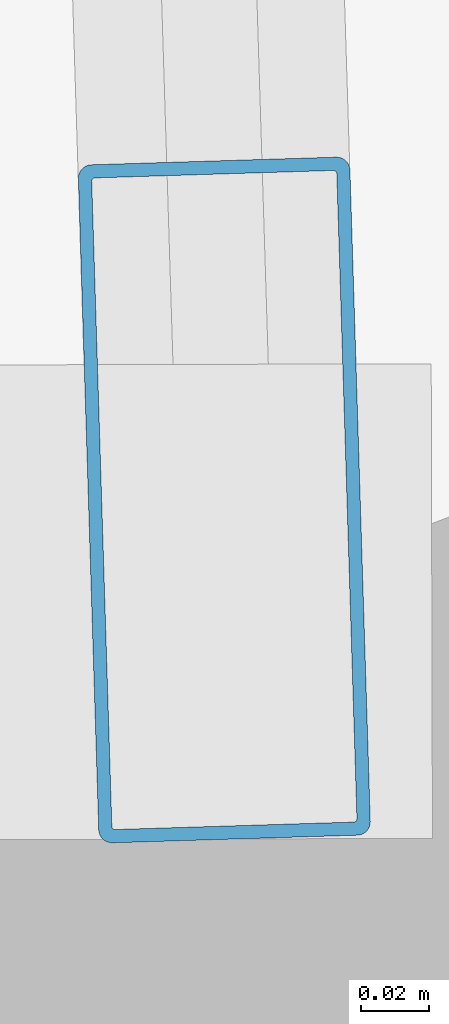
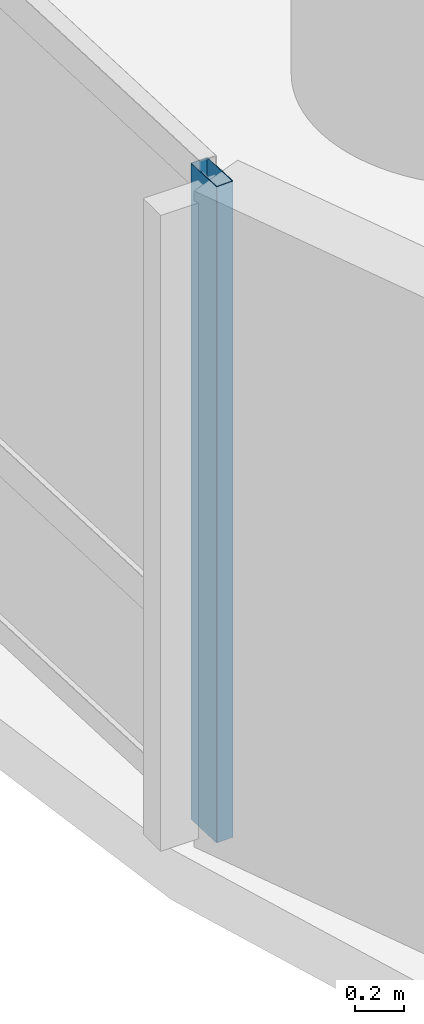
# One storey, part 4 of 27: 1 member, 1 element without a shape of its own.
"""IFC4 building model written with IfcOpenShell, lengths in metres."""

from ifc_helpers import new_model, si_unit, direction, frame, origin, origin_2d, place, context, subcontext, project, spatial, hollow_rectangle, extrude, material, layer, layer_set, material_profile, profile_set, type_object, element, aggregate, save


model = new_model("IFC4")

# Units and contexts
model_context = context("Model", 3, precision=1e-05, world=origin(), true_north=direction((0.0, 1.0)))
body_context = subcontext(model_context, "Body", "Model", "MODEL_VIEW")
ifc_project = project(units=[si_unit("LENGTHUNIT", "METRE"), si_unit("AREAUNIT", "SQUARE_METRE"), si_unit("VOLUMEUNIT", "CUBIC_METRE"), si_unit("PLANEANGLEUNIT", "RADIAN"), si_unit("MASSUNIT", "GRAM", prefix="KILO")], contexts=[model_context])

# Site, building, storey
site_placement = place(None, origin())
site = spatial("IfcSite", under=ifc_project, at=site_placement, CompositionType="ELEMENT")
building_placement = place(site_placement, origin())
building = spatial("IfcBuilding", under=site, at=building_placement, Name="Bramvorn Convention Spire", CompositionType="ELEMENT")
storey_placement = place(building_placement, frame((0.0, 0.0, 72.89990234375)))
storey = spatial("IfcBuildingStorey", under=building, at=storey_placement, Name="L16", CompositionType="ELEMENT", Elevation=72.89990234375)

# Curtain wall, member
ifc_material_1 = material(Name="Anodised Bronze Unitised Curtain Wall", Category="aluminium")
ifc_layer = layer(ifc_material_1, 0.179931640625)
ifc_layer_set = layer_set([ifc_layer], Name="Anodised Bronze Unitised Curtain Wall - CW-HTL-FRIT")
curtain_wall_type = type_object("IfcCurtainWallType", Name="CW-HTL-FRIT", PredefinedType="USERDEFINED", material=ifc_layer_set)
curtain_wall_placement = place(storey_placement, origin())
curtain_wall = element("IfcCurtainWall", 1, at=curtain_wall_placement, inside=storey, type_object=curtain_wall_type, Name="L16 fritted glass curtain wall 13", ObjectType="UNITISED CURTAIN WALL", PredefinedType="USERDEFINED")
ifc_material_2 = material(Name="Anodised Bronze Aluminium 6063-T6", Category="aluminium")
ifc_material_profile = material_profile(ifc_material_2, hollow_rectangle(XDim=0.080078125, YDim=0.199951171875, WallThickness=0.00390625, InnerFilletRadius=0.0009765625, OuterFilletRadius=0.00390625, at=origin_2d()))
ifc_profile_set = profile_set([ifc_material_profile], Name="Anodised Bronze Aluminium 6063-T6 - CWM80X200")
member_type = type_object("IfcMemberType", Name="CW-MUL-180", PredefinedType="MULLION", material=ifc_profile_set)
member_placement = place(storey_placement, frame((5.840087890625, 25.945556640625, 0.0), z_axis=(0.0, 0.0, 1.0), x_axis=(-0.999513282103, -0.031196135965, 0.0)))
member = element("IfcMember", 2, at=member_placement, type_object=member_type, Name="CW2 mullion 1", PredefinedType="MULLION", context=body_context, shape_type="SweptSolid", body=[
    extrude(hollow_rectangle(XDim=0.080078125, YDim=0.199951171875, WallThickness=0.00390625, InnerFilletRadius=0.0009765625, OuterFilletRadius=0.00390625, at=origin_2d()), origin(), (0.0, 0.0, 1.0), 3.25),
])
aggregate(curtain_wall, [member])

save(model, "model.ifc")
